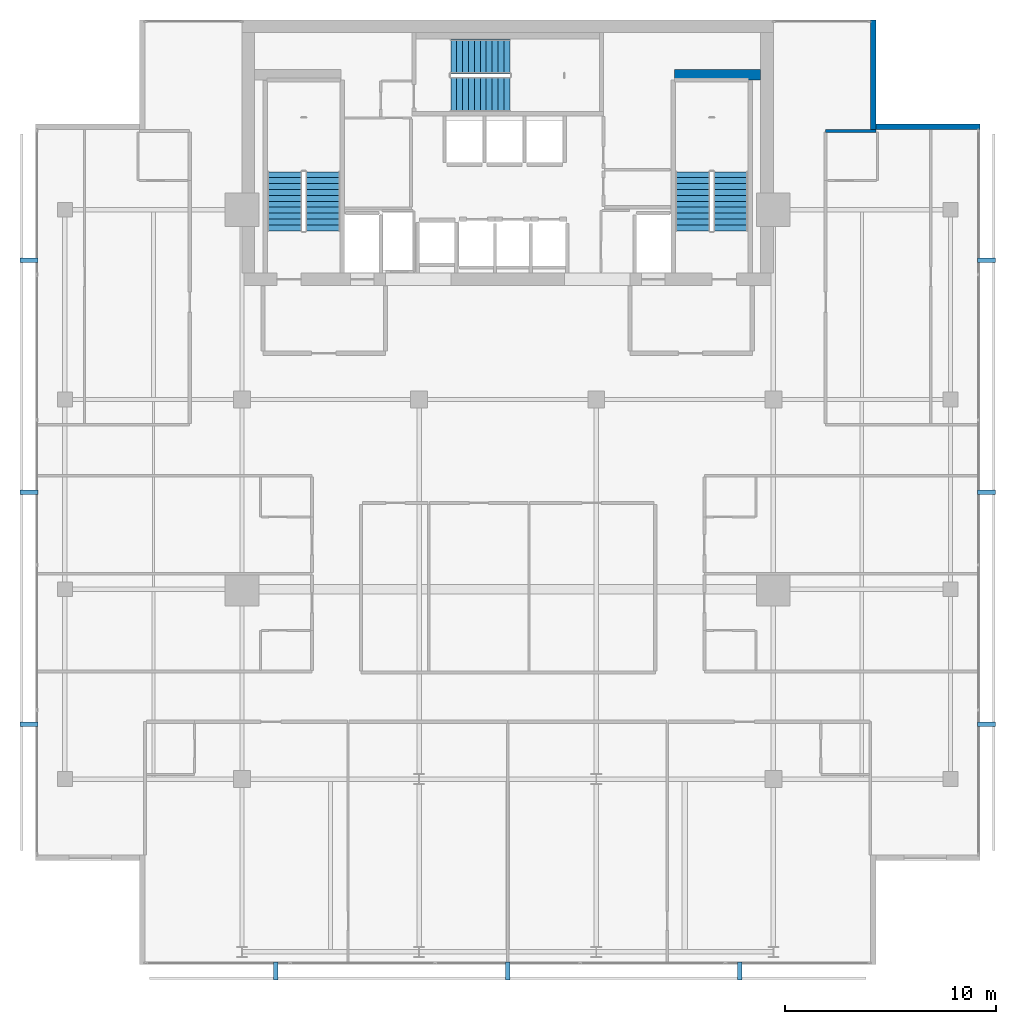
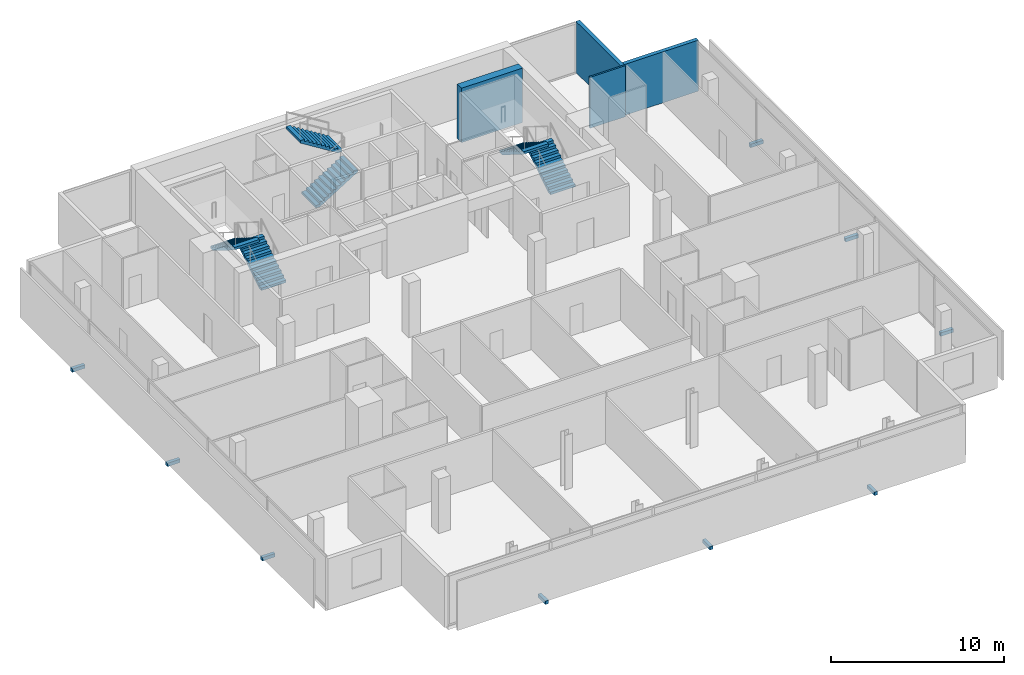
# One storey, part 23 of 25: 9 discrete accessories, 6 stair flights, 4 walls, 3 elements without a shape of their own.
"""IFC4 building model written with IfcOpenShell, lengths in metres."""

import ifcopenshell
import ifcopenshell.guid

model = None  # the IFC model being written
_history = None  # IfcOwnerHistory: only IFC2X3 demands one
_inside = {}  # id of a spatial element -> (the spatial element, [elements in it])
_under = {}  # id of a project, library or spatial element -> (it, [spatial elements below it])
_declared = {}  # id of a project -> (the project, [libraries it declares])
_typed = {}  # id of a type object -> (the type object, [elements of that type])
_made_of = {}  # id of a material, layer set ... -> (it, [elements and type objects made of it])


def new_model(schema):
    """Start an empty IFC model of exactly this schema.

    Asked for "IFC4X3", IfcOpenShell would pick the latest addendum, in which some entities
    have other attributes; the version numbers below select the first issue.
    IFC2X3 requires an IfcOwnerHistory on every rooted entity: one is made here for all.
    """
    global model, _history
    if schema == "IFC4X3":
        model = ifcopenshell.file(schema_version=(4, 3, 0, 0))
    else:
        model = ifcopenshell.file(schema=schema)
    _inside.clear()
    _under.clear()
    _declared.clear()
    _typed.clear()
    _made_of.clear()
    _history = None
    if model.schema == "IFC2X3":
        org = make("IfcOrganization", Name="unknown")
        user = make(
            "IfcPersonAndOrganization",
            ThePerson=make("IfcPerson", FamilyName="unknown"),
            TheOrganization=org,
        )
        app = make(
            "IfcApplication",
            ApplicationDeveloper=org,
            Version="unknown",
            ApplicationFullName="unknown",
            ApplicationIdentifier="unknown",
        )
        _history = make(
            "IfcOwnerHistory",
            OwningUser=user,
            OwningApplication=app,
            ChangeAction="ADDED",
            CreationDate=0,
        )
    return model


def make(cls, **values):
    """One entity of the class cls with the attributes given. An attribute that is None is left unset."""
    return model.create_entity(
        cls, **{name: value for name, value in values.items() if value is not None}
    )


def rooted(cls, **values):
    """An entity with a GlobalId (a new one), such as an element, a storey or a relation."""
    return make(cls, GlobalId=ifcopenshell.guid.new(), OwnerHistory=_history, **values)


def si_unit(unit_type, name, prefix=None):
    """IfcSIUnit, for example si_unit("LENGTHUNIT", "METRE", prefix="MILLI")."""
    return make("IfcSIUnit", UnitType=unit_type, Prefix=prefix, Name=name)


def assignment(units):
    """IfcUnitAssignment: the units of a project."""
    return None if units is None else make("IfcUnitAssignment", Units=units)


def point(xyz):
    """IfcCartesianPoint."""
    return None if xyz is None else make("IfcCartesianPoint", Coordinates=xyz)


def direction(xyz):
    """IfcDirection."""
    return None if xyz is None else make("IfcDirection", DirectionRatios=xyz)


def frame(location, z_axis=None, x_axis=None):
    """IfcAxis2Placement3D, a coordinate frame: its origin and axes. An axis left out is left unset."""
    return make(
        "IfcAxis2Placement3D",
        Location=point(location),
        Axis=direction(z_axis),
        RefDirection=direction(x_axis),
    )


def frame_2d(location, x_axis=None):
    """IfcAxis2Placement2D, a coordinate frame in the plane: its origin and x axis."""
    return make(
        "IfcAxis2Placement2D", Location=point(location), RefDirection=direction(x_axis)
    )


def origin():
    """The frame at (0, 0, 0) with its axes left unset."""
    return frame((0.0, 0.0, 0.0))


def origin_2d():
    """The frame at (0, 0) in the plane with its x axis left unset."""
    return frame_2d((0.0, 0.0))


def place(relative_to, where):
    """IfcLocalPlacement: puts the frame where relative to a parent placement (None: the world)."""
    return make(
        "IfcLocalPlacement", PlacementRelTo=relative_to, RelativePlacement=where
    )


def context(
    kind, dimensions, precision=None, world=None, true_north=None, identifier=None
):
    """IfcGeometricRepresentationContext, for example the 3D "Model" context."""
    return make(
        "IfcGeometricRepresentationContext",
        ContextIdentifier=identifier,
        ContextType=kind,
        CoordinateSpaceDimension=dimensions,
        Precision=precision,
        WorldCoordinateSystem=world,
        TrueNorth=true_north,
    )


def subcontext(parent, identifier, kind, view, scale=None):
    """IfcGeometricRepresentationSubContext, for example "Body" below "Model"."""
    return make(
        "IfcGeometricRepresentationSubContext",
        ContextIdentifier=identifier,
        ContextType=kind,
        ParentContext=parent,
        TargetScale=scale,
        TargetView=view,
    )


def project(units=None, contexts=None):
    """IfcProject with its units and contexts."""
    return rooted(
        "IfcProject",
        Name="project",
        RepresentationContexts=contexts,
        UnitsInContext=assignment(units),
    )


def spatial(cls, under=None, at=None, **own):
    """A site, building, storey or space (cls), placed at a placement, below another one or the project."""
    s = rooted(cls, ObjectPlacement=at, **own)
    if under is not None:
        _under.setdefault(under.id(), (under, []))[1].append(s)
    return s


def polyline(points):
    """IfcPolyline through the points."""
    return make("IfcPolyline", Points=[point(p) for p in points])


def profile(cls, at=None, kind="AREA", **sizes):
    """A parametric profile (cls). Its sizes go by their IFC names, for example OverallWidth=200.0."""
    return make(cls, ProfileType=kind, Position=at, **sizes)


def rectangle(**sizes):
    """IfcRectangleProfileDef."""
    return profile("IfcRectangleProfileDef", **sizes)


def outline(outer, holes=None, kind="AREA"):
    """IfcArbitraryClosedProfileDef: a profile drawn as a closed curve; with holes, ...WithVoids."""
    if holes is None:
        return make("IfcArbitraryClosedProfileDef", ProfileType=kind, OuterCurve=outer)
    return make(
        "IfcArbitraryProfileDefWithVoids",
        ProfileType=kind,
        OuterCurve=outer,
        InnerCurves=holes,
    )


def extrude(swept, where, along, depth):
    """IfcExtrudedAreaSolid: the profile swept, set in the frame where, extruded along a direction by depth."""
    return make(
        "IfcExtrudedAreaSolid",
        SweptArea=swept,
        Position=where,
        ExtrudedDirection=direction(along),
        Depth=depth,
    )


def shape(context_of_items, identifier, shape_type, items):
    """IfcShapeRepresentation: the items that make up one representation, for example the "Body"."""
    return make(
        "IfcShapeRepresentation",
        ContextOfItems=context_of_items,
        RepresentationIdentifier=identifier,
        RepresentationType=shape_type,
        Items=items,
    )


def material(Name=None, Category=None):
    """IfcMaterial."""
    return make("IfcMaterial", Name=Name, Category=Category)


def layer(
    of_material, thickness, ventilated=None, Name=None, Category=None, Priority=None
):
    """IfcMaterialLayer: one layer of a wall or slab, of a material (None: an air gap)."""
    return make(
        "IfcMaterialLayer",
        Material=of_material,
        LayerThickness=thickness,
        IsVentilated=ventilated,
        Name=Name,
        Category=Category,
        Priority=Priority,
    )


def layer_set(layers, Name=None):
    """IfcMaterialLayerSet."""
    return make("IfcMaterialLayerSet", MaterialLayers=layers, LayerSetName=Name)


def made_of(thing, what):
    """Note that an element or type object is made of a material, layer set ...; save() writes the relation."""
    if what is not None:
        _made_of.setdefault(what.id(), (what, []))[1].append(thing)
    return thing


def type_object(cls, material=None, **own):
    """A type object (cls), such as IfcWallType, which elements share."""
    return made_of(rooted(cls, **own), material)


def element(
    cls,
    number,
    at=None,
    inside=None,
    cuts=None,
    type_object=None,
    material=None,
    context=None,
    identifier="Body",
    shape_type=None,
    held_by="IfcProductDefinitionShape",
    body=None,
    shapes=None,
    **own,
):
    """One element of the class cls, such as IfcWall. Its Tag is "e" and its number.

    at: its placement. inside: the storey or other place that contains it. cuts: it is an
    opening in that element (IfcRelVoidsElement). A single representation is given by context,
    identifier, shape_type and body (its items); several are given by shapes. held_by: the class
    of the entity that holds the representations. save() writes the other relations.
    """
    e = rooted(cls, Tag="e%d" % number, ObjectPlacement=at, **own)
    if body is not None:
        shapes = [shape(context, identifier, shape_type, body)]
    if shapes is not None:
        e.Representation = make(held_by, Representations=shapes)
    if inside is not None:
        _inside.setdefault(inside.id(), (inside, []))[1].append(e)
    if cuts is not None:
        rooted(
            "IfcRelVoidsElement", RelatingBuildingElement=cuts, RelatedOpeningElement=e
        )
    if type_object is not None:
        _typed.setdefault(type_object.id(), (type_object, []))[1].append(e)
    return made_of(e, material)


def aggregate(whole, parts):
    """IfcRelAggregates: a whole, such as a stair, and the parts it consists of."""
    return rooted("IfcRelAggregates", RelatingObject=whole, RelatedObjects=parts)


def save(model, path):
    """Write the relations noted so far, then the file.

    IfcRelAggregates (storeys below a building ...), IfcRelContainedInSpatialStructure (elements
    in a storey), IfcRelDefinesByType, IfcRelAssociatesMaterial and IfcRelDeclares: one each for
    every whole, place, type object, material and project.
    """
    for whole, parts in _under.values():
        aggregate(whole, parts)
    for where, things in _inside.values():
        rooted(
            "IfcRelContainedInSpatialStructure",
            RelatedElements=things,
            RelatingStructure=where,
        )
    for kind, things in _typed.values():
        rooted("IfcRelDefinesByType", RelatedObjects=things, RelatingType=kind)
    for what, things in _made_of.values():
        rooted("IfcRelAssociatesMaterial", RelatedObjects=things, RelatingMaterial=what)
    for by, libraries in _declared.values():
        rooted("IfcRelDeclares", RelatingContext=by, RelatedDefinitions=libraries)
    model.write(path)


model = new_model("IFC4")

# Units and contexts
model_context = context("Model", 3, precision=1e-05, world=origin(), true_north=direction((0.0, 1.0)))
body_context = subcontext(model_context, "Body", "Model", "MODEL_VIEW")
ifc_project = project(units=[si_unit("LENGTHUNIT", "METRE"), si_unit("AREAUNIT", "SQUARE_METRE"), si_unit("VOLUMEUNIT", "CUBIC_METRE"), si_unit("PLANEANGLEUNIT", "RADIAN"), si_unit("MASSUNIT", "GRAM", prefix="KILO")], contexts=[model_context])

# Site, building, storey
site_placement = place(None, origin())
site = spatial("IfcSite", under=ifc_project, at=site_placement, CompositionType="ELEMENT")
building_placement = place(site_placement, origin())
building = spatial("IfcBuilding", under=site, at=building_placement, Name="Maruvema Waterfront Hotel and Observation Tower", CompositionType="ELEMENT")
storey_placement = place(building_placement, frame((0.0, 0.0, 274.050048828125)))
storey = spatial("IfcBuildingStorey", under=building, at=storey_placement, Name="L67", CompositionType="ELEMENT", Elevation=274.050048828125)

# Walls
ifc_material_1 = material(Name="Concrete C70/85", Category="concrete")
ifc_layer_1 = layer(ifc_material_1, 0.5, Name="Core Shear Wall 500 mm")
ifc_layer_set_1 = layer_set([ifc_layer_1], Name="Concrete C70/85")
wall_type_1 = type_object("IfcWallType", Name="Core Shear Wall 500 mm", PredefinedType="SHEAR", material=ifc_layer_set_1)
wall_1_placement = place(storey_placement, frame((45.699951171875, 51.39990234375, 0.0), z_axis=(0.0, 0.0, 1.0), x_axis=(1.0, 0.0, 0.0)))
element("IfcWall", 1, at=wall_1_placement, inside=storey, type_object=wall_type_1, Name="L67 Internal Core Shear Wall NE 500 mm", PredefinedType="SHEAR", context=body_context, shape_type="SweptSolid", body=[
    extrude(rectangle(XDim=4.10009765625, YDim=0.5, at=frame_2d((2.050048828125, 0.0))), origin(), (0.0, 0.0, 1.0), 3.849853515625),
])
ifc_material_2 = material(Name="Precast concrete C45/55 with honed Pernambuco granite facing", Category="masonry")
ifc_layer_2 = layer(ifc_material_2, 0.260009765625, Name="Exterior Granite Clad Spandrel and Pier Wall 260 mm")
ifc_layer_set_2 = layer_set([ifc_layer_2], Name="Precast concrete C45/55 with honed Pernambuco granite facing")
wall_type_2 = type_object("IfcWallType", Name="Exterior Granite Clad Spandrel and Pier Wall 260 mm", PredefinedType="SOLIDWALL", material=ifc_layer_set_2)
for number, where, z_axis, x_axis, name in (
    (2, (55.1298828125, 54.0, 0.0), (0.0, 0.0, 1.0), (0.0, -1.0, 0.0), "L67 Corner Notch Granite Pier Wall NE1"),
    (3, (55.0, 48.929931640625, 0.0), (0.0, 0.0, 1.0), (1.0, 0.0, 0.0), "L67 Corner Notch Granite Pier Wall NE2"),
):
    element("IfcWall", number, at=place(storey_placement, frame(where, z_axis=z_axis, x_axis=x_axis)), inside=storey, type_object=wall_type_2, Name=name, PredefinedType="SOLIDWALL", context=body_context, shape_type="SweptSolid", body=[
        extrude(rectangle(XDim=5.199951171875, YDim=0.260009765625, at=frame_2d((2.60009765625, 0.0))), origin(), (0.0, 0.0, 1.0), 3.60986328125),
    ])
ifc_material_3 = material(Name="Acoustic gypsum plasterboard drywall", Category="gypsum")
ifc_layer_3 = layer(ifc_material_3, 0.125, Name="Guestroom Acoustic Demising Wall 125 mm")
ifc_layer_set_3 = layer_set([ifc_layer_3], Name="Acoustic gypsum plasterboard drywall")
wall_type_3 = type_object("IfcWallType", Name="Guestroom Acoustic Demising Wall 125 mm", PredefinedType="PARTITIONING", material=ifc_layer_set_3)
wall_2_placement = place(storey_placement, frame((52.8798828125, 48.737548828125, 0.0), z_axis=(0.0, 0.0, 1.0), x_axis=(1.0, 0.0, 0.0)))
element("IfcWall", 4, at=wall_2_placement, inside=storey, type_object=wall_type_3, Name="L67 Z3 NE Top End 069", PredefinedType="PARTITIONING", context=body_context, shape_type="SweptSolid", body=[
    extrude(rectangle(XDim=2.380126953125, YDim=0.125, at=frame_2d((1.18994140625, 0.0))), origin(), (0.0, 0.0, 1.0), 3.60986328125),
])

# Stair, stair flights
ifc_material_4 = material(Name="Concrete C50/60", Category="concrete")
stair_type = type_object("IfcStairType", Name="Dogleg Exit Stair 1650 mm (22R x 175.0 mm)", PredefinedType="HALF_TURN_STAIR", material=ifc_material_4)
stair_1_placement = place(storey_placement, origin())
stair_1 = element("IfcStair", 5, at=stair_1_placement, inside=storey, type_object=stair_type, Name="L67 ST-01", PredefinedType="HALF_TURN_STAIR")
ifc_material_5 = material(Name="Concrete C50/60", Category="concrete")
stair_flight_type = type_object("IfcStairFlightType", Name="Reinforced Concrete Stair Flight 1650 mm (11R x 175.0 mm)", PredefinedType="STRAIGHT", material=ifc_material_5)
stair_flight_1_placement = place(storey_placement, frame((29.02490234375, 44.0, 0.0), z_axis=(0.0, 0.0, 1.0), x_axis=(0.0, 1.0, 0.0)))
stair_flight_1 = element("IfcStairFlight", 6, at=stair_flight_1_placement, type_object=stair_flight_type, Name="ST-01 flight 1", NumberOfRisers=11, NumberOfTreads=10, PredefinedType="STRAIGHT", RiserHeight=0.175, TreadLength=0.28, context=body_context, shape_type="SweptSolid", body=[
    extrude(outline(polyline([(0.0, 0.0), (0.0, 0.175048828125), (0.280029296875, 0.175048828125), (0.280029296875, 0.35009765625), (0.56005859375, 0.35009765625), (0.56005859375, 0.52490234375), (0.840087890625, 0.52490234375), (0.840087890625, 0.699951171875), (1.1201171875, 0.699951171875), (1.1201171875, 0.875), (1.39990234375, 0.875), (1.39990234375, 1.050048828125), (1.679931640625, 1.050048828125), (1.679931640625, 1.22509765625), (1.9599609375, 1.22509765625), (1.9599609375, 1.39990234375), (2.239990234375, 1.39990234375), (2.239990234375, 1.574951171875), (2.52001953125, 1.574951171875), (2.52001953125, 1.75), (2.800048828125, 1.75), (2.800048828125, 1.925048828125), (2.800048828125, 1.5732421875), (0.28271484375, 0.0), (0.0, 0.0)])), frame((0.0, 0.824951171875, 0.0), z_axis=(0.0, -1.0, 0.0), x_axis=(1.0, 0.0, 0.0)), (0.0, 0.0, 1.0), 1.64990234375),
])
stair_flight_2_placement = place(storey_placement, frame((27.22509765625, 46.800048828125, 1.925048828125), z_axis=(0.0, 0.0, 1.0), x_axis=(0.0, -1.0, 0.0)))
stair_flight_2 = element("IfcStairFlight", 7, at=stair_flight_2_placement, type_object=stair_flight_type, Name="ST-01 flight 2", NumberOfRisers=11, NumberOfTreads=10, PredefinedType="STRAIGHT", RiserHeight=0.175, TreadLength=0.28, context=body_context, shape_type="SweptSolid", body=[
    extrude(outline(polyline([(0.0, 0.0), (0.0, 0.175048828125), (0.280029296875, 0.175048828125), (0.280029296875, 0.35009765625), (0.56005859375, 0.35009765625), (0.56005859375, 0.52490234375), (0.840087890625, 0.52490234375), (0.840087890625, 0.699951171875), (1.1201171875, 0.699951171875), (1.1201171875, 0.875), (1.39990234375, 0.875), (1.39990234375, 1.050048828125), (1.679931640625, 1.050048828125), (1.679931640625, 1.22509765625), (1.9599609375, 1.22509765625), (1.9599609375, 1.39990234375), (2.239990234375, 1.39990234375), (2.239990234375, 1.574951171875), (2.52001953125, 1.574951171875), (2.52001953125, 1.75), (2.800048828125, 1.75), (2.800048828125, 1.925048828125), (2.800048828125, 1.5732421875), (0.28271484375, 0.0), (0.0, 0.0)])), frame((0.0, 0.824951171875, 0.0), z_axis=(0.0, -1.0, 0.0), x_axis=(1.0, 0.0, 0.0)), (0.0, 0.0, 1.0), 1.64990234375),
])
aggregate(stair_1, [stair_flight_1, stair_flight_2])

stair_2_placement = place(storey_placement, origin())
stair_2 = element("IfcStair", 8, at=stair_2_placement, inside=storey, type_object=stair_type, Name="L67 ST-02", PredefinedType="HALF_TURN_STAIR")
stair_flight_3_placement = place(storey_placement, frame((35.10009765625, 50.47509765625, 0.0), z_axis=(0.0, 0.0, 1.0), x_axis=(1.0, 0.0, 0.0)))
stair_flight_3 = element("IfcStairFlight", 9, at=stair_flight_3_placement, type_object=stair_flight_type, Name="ST-02 flight 1", NumberOfRisers=11, NumberOfTreads=10, PredefinedType="STRAIGHT", RiserHeight=0.175, TreadLength=0.28, context=body_context, shape_type="SweptSolid", body=[
    extrude(outline(polyline([(0.0, 0.0), (0.0, 0.175048828125), (0.280029296875, 0.175048828125), (0.280029296875, 0.35009765625), (0.56005859375, 0.35009765625), (0.56005859375, 0.52490234375), (0.840087890625, 0.52490234375), (0.840087890625, 0.699951171875), (1.1201171875, 0.699951171875), (1.1201171875, 0.875), (1.39990234375, 0.875), (1.39990234375, 1.050048828125), (1.679931640625, 1.050048828125), (1.679931640625, 1.22509765625), (1.9599609375, 1.22509765625), (1.9599609375, 1.39990234375), (2.239990234375, 1.39990234375), (2.239990234375, 1.574951171875), (2.52001953125, 1.574951171875), (2.52001953125, 1.75), (2.800048828125, 1.75), (2.800048828125, 1.925048828125), (2.800048828125, 1.5732421875), (0.28271484375, 0.0), (0.0, 0.0)])), frame((0.0, 0.824951171875, 0.0), z_axis=(0.0, -1.0, 0.0), x_axis=(1.0, 0.0, 0.0)), (0.0, 0.0, 1.0), 1.64990234375),
])
stair_flight_4_placement = place(storey_placement, frame((37.89990234375, 52.27490234375, 1.925048828125), z_axis=(0.0, 0.0, 1.0), x_axis=(-1.0, 0.0, 0.0)))
stair_flight_4 = element("IfcStairFlight", 10, at=stair_flight_4_placement, type_object=stair_flight_type, Name="ST-02 flight 2", NumberOfRisers=11, NumberOfTreads=10, PredefinedType="STRAIGHT", RiserHeight=0.175, TreadLength=0.28, context=body_context, shape_type="SweptSolid", body=[
    extrude(outline(polyline([(0.0, 0.0), (0.0, 0.175048828125), (0.280029296875, 0.175048828125), (0.280029296875, 0.35009765625), (0.56005859375, 0.35009765625), (0.56005859375, 0.52490234375), (0.840087890625, 0.52490234375), (0.840087890625, 0.699951171875), (1.1201171875, 0.699951171875), (1.1201171875, 0.875), (1.39990234375, 0.875), (1.39990234375, 1.050048828125), (1.679931640625, 1.050048828125), (1.679931640625, 1.22509765625), (1.9599609375, 1.22509765625), (1.9599609375, 1.39990234375), (2.239990234375, 1.39990234375), (2.239990234375, 1.574951171875), (2.52001953125, 1.574951171875), (2.52001953125, 1.75), (2.800048828125, 1.75), (2.800048828125, 1.925048828125), (2.800048828125, 1.5732421875), (0.28271484375, 0.0), (0.0, 0.0)])), frame((0.0, 0.824951171875, 0.0), z_axis=(0.0, -1.0, 0.0), x_axis=(1.0, 0.0, 0.0)), (0.0, 0.0, 1.0), 1.64990234375),
])
aggregate(stair_2, [stair_flight_3, stair_flight_4])

stair_3_placement = place(storey_placement, origin())
stair_3 = element("IfcStair", 11, at=stair_3_placement, inside=storey, type_object=stair_type, Name="L67 ST-03", PredefinedType="HALF_TURN_STAIR")
stair_flight_5_placement = place(storey_placement, frame((48.375, 44.0, 0.0), z_axis=(0.0, 0.0, 1.0), x_axis=(0.0, 1.0, 0.0)))
stair_flight_5 = element("IfcStairFlight", 12, at=stair_flight_5_placement, type_object=stair_flight_type, Name="ST-03 flight 1", NumberOfRisers=11, NumberOfTreads=10, PredefinedType="STRAIGHT", RiserHeight=0.175, TreadLength=0.28, context=body_context, shape_type="SweptSolid", body=[
    extrude(outline(polyline([(0.0, 0.0), (0.0, 0.175048828125), (0.280029296875, 0.175048828125), (0.280029296875, 0.35009765625), (0.56005859375, 0.35009765625), (0.56005859375, 0.52490234375), (0.840087890625, 0.52490234375), (0.840087890625, 0.699951171875), (1.1201171875, 0.699951171875), (1.1201171875, 0.875), (1.39990234375, 0.875), (1.39990234375, 1.050048828125), (1.679931640625, 1.050048828125), (1.679931640625, 1.22509765625), (1.9599609375, 1.22509765625), (1.9599609375, 1.39990234375), (2.239990234375, 1.39990234375), (2.239990234375, 1.574951171875), (2.52001953125, 1.574951171875), (2.52001953125, 1.75), (2.800048828125, 1.75), (2.800048828125, 1.925048828125), (2.800048828125, 1.5732421875), (0.28271484375, 0.0), (0.0, 0.0)])), frame((0.0, 0.824951171875, 0.0), z_axis=(0.0, -1.0, 0.0), x_axis=(1.0, 0.0, 0.0)), (0.0, 0.0, 1.0), 1.64990234375),
])
stair_flight_6_placement = place(storey_placement, frame((46.574951171875, 46.800048828125, 1.925048828125), z_axis=(0.0, 0.0, 1.0), x_axis=(0.0, -1.0, 0.0)))
stair_flight_6 = element("IfcStairFlight", 13, at=stair_flight_6_placement, type_object=stair_flight_type, Name="ST-03 flight 2", NumberOfRisers=11, NumberOfTreads=10, PredefinedType="STRAIGHT", RiserHeight=0.175, TreadLength=0.28, context=body_context, shape_type="SweptSolid", body=[
    extrude(outline(polyline([(0.0, 0.0), (0.0, 0.175048828125), (0.280029296875, 0.175048828125), (0.280029296875, 0.35009765625), (0.56005859375, 0.35009765625), (0.56005859375, 0.52490234375), (0.840087890625, 0.52490234375), (0.840087890625, 0.699951171875), (1.1201171875, 0.699951171875), (1.1201171875, 0.875), (1.39990234375, 0.875), (1.39990234375, 1.050048828125), (1.679931640625, 1.050048828125), (1.679931640625, 1.22509765625), (1.9599609375, 1.22509765625), (1.9599609375, 1.39990234375), (2.239990234375, 1.39990234375), (2.239990234375, 1.574951171875), (2.52001953125, 1.574951171875), (2.52001953125, 1.75), (2.800048828125, 1.75), (2.800048828125, 1.925048828125), (2.800048828125, 1.5732421875), (0.28271484375, 0.0), (0.0, 0.0)])), frame((0.0, 0.824951171875, 0.0), z_axis=(0.0, -1.0, 0.0), x_axis=(1.0, 0.0, 0.0)), (0.0, 0.0, 1.0), 1.64990234375),
])
aggregate(stair_3, [stair_flight_5, stair_flight_6])

# Discrete accessories
ifc_material_6 = material(Name="Duplex stainless steel Grade 2205", Category="steel")
discrete_accessory_type = type_object("IfcDiscreteAccessoryType", Name="Double-Skin Cavity Stainless Outrigger Bracket", PredefinedType="BRACKET", material=ifc_material_6)
for number, where, z_axis, x_axis, name in (
    (14, (26.7919921875, 8.89990234375, -0.14013671875), (0.0, 0.0, 1.0), (1.0, 0.0, 0.0), "L67 Outer Skin Support Bracket 1"),
    (15, (37.800048828125, 8.89990234375, -0.14013671875), (0.0, 0.0, 1.0), (1.0, 0.0, 0.0), "L67 Outer Skin Support Bracket 2"),
    (16, (48.80810546875, 8.89990234375, -0.14013671875), (0.0, 0.0, 1.0), (1.0, 0.0, 0.0), "L67 Outer Skin Support Bracket 3"),
    (17, (60.5, 20.592041015625, -0.14013671875), (0.0, 0.0, 1.0), (0.0, 1.0, 0.0), "L67 Outer Skin Support Bracket 1"),
    (18, (60.5, 31.60009765625, -0.14013671875), (0.0, 0.0, 1.0), (0.0, 1.0, 0.0), "L67 Outer Skin Support Bracket 2"),
    (19, (60.5, 42.60791015625, -0.14013671875), (0.0, 0.0, 1.0), (0.0, 1.0, 0.0), "L67 Outer Skin Support Bracket 3"),
    (20, (15.10009765625, 42.60791015625, -0.14013671875), (0.0, 0.0, 1.0), (0.0, -1.0, 0.0), "L67 Outer Skin Support Bracket 1"),
    (21, (15.10009765625, 31.60009765625, -0.14013671875), (0.0, 0.0, 1.0), (0.0, -1.0, 0.0), "L67 Outer Skin Support Bracket 2"),
    (22, (15.10009765625, 20.592041015625, -0.14013671875), (0.0, 0.0, 1.0), (0.0, -1.0, 0.0), "L67 Outer Skin Support Bracket 3"),
):
    element("IfcDiscreteAccessory", number, at=place(storey_placement, frame(where, z_axis=z_axis, x_axis=x_axis)), inside=storey, type_object=discrete_accessory_type, Name=name, PredefinedType="BRACKET", context=body_context, shape_type="SweptSolid", body=[
        extrude(rectangle(XDim=0.219970703125, YDim=0.860107421875, at=origin_2d()), origin(), (0.0, 0.0, 1.0), 0.239990234375),
    ])

save(model, "model.ifc")
